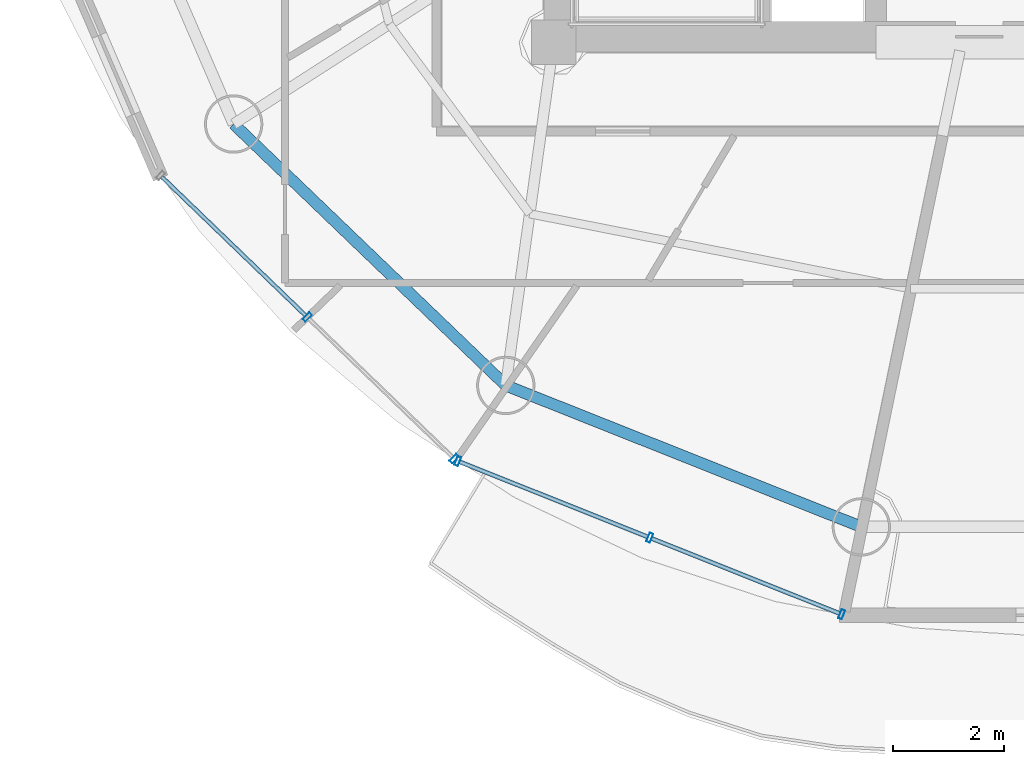
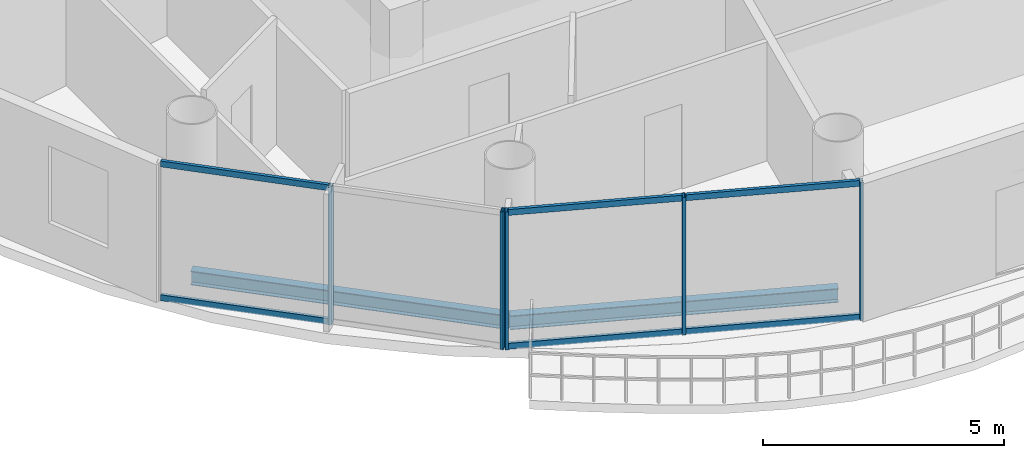
# One storey, part 2 of 23: 11 members, 2 beams, 2 elements without a shape of their own.
"""IFC4 building model written with IfcOpenShell, lengths in metres."""

from ifc_helpers import new_model, si_unit, direction, frame, origin, origin_2d, place, context, subcontext, project, spatial, hollow_rectangle, i_section, extrude, source, transform, mapped, material, material_profile, profile_set, type_object, element, aggregate, save


model = new_model("IFC4")

# Units and contexts
model_context = context("Model", 3, precision=1e-05, world=origin(), true_north=direction((-0.2419218956, 0.970295726276)))
body_context = subcontext(model_context, "Body", "Model", "MODEL_VIEW")
ifc_project = project(units=[si_unit("LENGTHUNIT", "METRE"), si_unit("AREAUNIT", "SQUARE_METRE"), si_unit("VOLUMEUNIT", "CUBIC_METRE"), si_unit("PLANEANGLEUNIT", "RADIAN"), si_unit("MASSUNIT", "GRAM", prefix="KILO")], contexts=[model_context])

# Site, building, storey
site_placement = place(None, origin())
site = spatial("IfcSite", under=ifc_project, at=site_placement, CompositionType="ELEMENT")
building_placement = place(site_placement, origin())
building = spatial("IfcBuilding", under=site, at=building_placement, Name="Cobrevalo Terracotta Tower", CompositionType="ELEMENT")
storey_placement = place(building_placement, frame((0.0, 0.0, 248.199951171875)))
storey = spatial("IfcBuildingStorey", under=building, at=storey_placement, Name="L65", CompositionType="ELEMENT", Elevation=248.199951171875)

# Beams
ifc_material_1 = material(Name="Steel S355", Category="steel")
ifc_material_profile_1 = material_profile(ifc_material_1, i_section(OverallWidth=0.205078125, OverallDepth=0.35400390625, WebThickness=0.009521484375, FlangeThickness=0.016845703125, at=origin_2d()), Name="W 360x79")
ifc_profile_set_1 = profile_set([ifc_material_profile_1], Name="Steel S355")
beam_type = type_object("IfcBeamType", Name="Structural Spandrel W 360x79 (Steel S355)", PredefinedType="SPANDREL", material=ifc_profile_set_1)
beam_1_placement = place(storey_placement, frame((23.241455078125, 17.32763671875, -0.43701171875), z_axis=(0.721183246144, -0.692744343522, 0.0), x_axis=(0.692744343522, 0.721183246144, 0.0)))
element("IfcBeam", 1, at=beam_1_placement, inside=storey, type_object=beam_type, Name="L65 perimeter ring spandrel 10", PredefinedType="SPANDREL", context=body_context, shape_type="SweptSolid", body=[
    extrude(i_section(OverallWidth=0.205078125, OverallDepth=0.35400390625, WebThickness=0.009521484375, FlangeThickness=0.016845703125, at=origin_2d()), origin(), (0.0, 0.0, 1.0), 6.79052734375),
])
beam_2_placement = place(storey_placement, frame((28.138671875, 12.62353515625, -0.43701171875), z_axis=(0.929149986048, -0.369702993533, 0.0), x_axis=(0.369702993533, 0.929149986048, 0.0)))
element("IfcBeam", 2, at=beam_2_placement, inside=storey, type_object=beam_type, Name="L65 perimeter ring spandrel 11", PredefinedType="SPANDREL", context=body_context, shape_type="SweptSolid", body=[
    extrude(i_section(OverallWidth=0.205078125, OverallDepth=0.35400390625, WebThickness=0.009521484375, FlangeThickness=0.016845703125, at=origin_2d()), origin(), (0.0, 0.0, 1.0), 6.88623046875),
])

# Curtain wall, members
ifc_material_2 = material(Name="Anodized aluminium", Category="aluminium")
curtain_wall_type = type_object("IfcCurtainWallType", Name="Upper-tower triple-glazed penthouse curtain wall CW-U3", PredefinedType="NOTDEFINED", material=ifc_material_2)
curtain_wall_1_placement = place(storey_placement, origin())
curtain_wall_1 = element("IfcCurtainWall", 3, at=curtain_wall_1_placement, inside=storey, type_object=curtain_wall_type, Name="L65 curtain wall CW-L65-S10", PredefinedType="NOTDEFINED")
ifc_material_profile_2 = material_profile(ifc_material_2, hollow_rectangle(XDim=0.070068359375, YDim=0.169921875, WallThickness=0.00439453125, at=origin_2d()), Name="CWM 70x170")
ifc_profile_set_2 = profile_set([ifc_material_profile_2], Name="Anodized aluminium")
member_type_1 = type_object("IfcMemberType", Name="Upper tower unitised mullion 70x170", PredefinedType="MULLION", material=ifc_profile_set_2)
shared_shape_1 = source(origin(), body_context, "Body", "SweptSolid", [
    extrude(hollow_rectangle(XDim=0.070068359375, YDim=0.169921875, WallThickness=0.00439453125, at=origin_2d()), origin(), (0.0, 0.0, 1.0), 3.489990234375),
])
member_1_placement = place(storey_placement, frame((24.56640625, 13.85205078125, 0.0), z_axis=(0.0, 0.0, 1.0), x_axis=(0.71999418085, -0.69398010025, 0.0)))
member_1 = element("IfcMember", 4, at=member_1_placement, type_object=member_type_1, Name="CW-L65-S10 vertical mullion 02", PredefinedType="MULLION", context=body_context, shape_type="MappedRepresentation", body=[
    mapped(shared_shape_1, transform((0.0, 0.0, 0.0), scale=1.0)),
])
member_2_placement = place(storey_placement, frame((27.209716796875, 11.30419921875, 0.0), z_axis=(0.0, 0.0, 1.0), x_axis=(0.71999418085, -0.69398010025, 0.0)))
member_2 = element("IfcMember", 5, at=member_2_placement, type_object=member_type_1, Name="CW-L65-S10 vertical mullion 03", PredefinedType="MULLION", context=body_context, shape_type="MappedRepresentation", body=[
    mapped(shared_shape_1, transform((0.0, 0.0, 0.0), scale=1.0)),
])

curtain_wall_2_placement = place(storey_placement, origin())
curtain_wall_2 = element("IfcCurtainWall", 6, at=curtain_wall_2_placement, inside=storey, type_object=curtain_wall_type, Name="L65 curtain wall CW-L65-S11", PredefinedType="NOTDEFINED")
member_3_placement = place(storey_placement, frame((27.275634765625, 11.26171875, 0.0), z_axis=(0.0, 0.0, 1.0), x_axis=(0.928718980883, -0.370784377433, 0.0)))
member_3 = element("IfcMember", 7, at=member_3_placement, type_object=member_type_1, Name="CW-L65-S11 vertical mullion 01", PredefinedType="MULLION", context=body_context, shape_type="MappedRepresentation", body=[
    mapped(shared_shape_1, transform((0.0, 0.0, 0.0), scale=1.0)),
])
member_4_placement = place(storey_placement, frame((30.729736328125, 9.882568359375, 0.0), z_axis=(0.0, 0.0, 1.0), x_axis=(0.928718980883, -0.370784377433, 0.0)))
member_4 = element("IfcMember", 8, at=member_4_placement, type_object=member_type_1, Name="CW-L65-S11 vertical mullion 02", PredefinedType="MULLION", context=body_context, shape_type="MappedRepresentation", body=[
    mapped(shared_shape_1, transform((0.0, 0.0, 0.0), scale=1.0)),
])
member_5_placement = place(storey_placement, frame((34.183837890625, 8.503662109375, 0.0), z_axis=(0.0, 0.0, 1.0), x_axis=(0.928718980883, -0.370784377433, 0.0)))
member_5 = element("IfcMember", 9, at=member_5_placement, type_object=member_type_1, Name="CW-L65-S11 vertical mullion 03", PredefinedType="MULLION", context=body_context, shape_type="MappedRepresentation", body=[
    mapped(shared_shape_1, transform((0.0, 0.0, 0.0), scale=1.0)),
])

# Member
ifc_material_profile_3 = material_profile(ifc_material_2, hollow_rectangle(XDim=0.074951171875, YDim=0.14990234375, WallThickness=0.00439453125, at=origin_2d()), Name="CWT 75x150")
ifc_profile_set_3 = profile_set([ifc_material_profile_3], Name="Anodized aluminium")
member_type_2 = type_object("IfcMemberType", Name="Tower unitised aluminium transom 75x150", PredefinedType="USERDEFINED", material=ifc_profile_set_3)
shared_shape_2 = source(origin(), body_context, "Body", "SweptSolid", [
    extrude(hollow_rectangle(XDim=0.074951171875, YDim=0.14990234375, WallThickness=0.00439453125, at=origin_2d()), origin(), (0.0, 0.0, 1.0), 3.59130859375),
])
member_6_placement = place(storey_placement, frame((21.9521484375, 16.3720703125, 0.050048828125), z_axis=(0.719971660756, -0.694003463758, 0.0), x_axis=(0.694003463758, 0.719971660756, 0.0)))
member_6 = element("IfcMember", 10, at=member_6_placement, type_object=member_type_2, Name="CW-L65-S10 transom B01-T1", ObjectType="TRANSOM", PredefinedType="USERDEFINED", context=body_context, shape_type="MappedRepresentation", body=[
    mapped(shared_shape_2, transform((0.0, 0.0, 0.0), scale=1.0)),
])

member_7_placement = place(storey_placement, frame((21.9521484375, 16.3720703125, 3.43994140625), z_axis=(0.719971660756, -0.694003463758, 0.0), x_axis=(0.694003463758, 0.719971660756, 0.0)))
member_7 = element("IfcMember", 11, at=member_7_placement, type_object=member_type_2, Name="CW-L65-S10 transom B01-T2", ObjectType="TRANSOM", PredefinedType="USERDEFINED", context=body_context, shape_type="MappedRepresentation", body=[
    mapped(shared_shape_2, transform((0.0, 0.0, 0.0), scale=1.0)),
])

aggregate(curtain_wall_1, [member_1, member_2, member_6, member_7])

shared_shape_3 = source(origin(), body_context, "Body", "SweptSolid", [
    extrude(hollow_rectangle(XDim=0.074951171875, YDim=0.14990234375, WallThickness=0.00439453125, at=origin_2d()), origin(), (0.0, 0.0, 1.0), 3.63916015625),
])
member_8_placement = place(storey_placement, frame((27.31298828125, 11.246826171875, 0.050048828125), z_axis=(0.928712471544, -0.370800681227, 0.0), x_axis=(0.370800681227, 0.928712471544, 0.0)))
member_8 = element("IfcMember", 12, at=member_8_placement, type_object=member_type_2, Name="CW-L65-S11 transom B01-T1", ObjectType="TRANSOM", PredefinedType="USERDEFINED", context=body_context, shape_type="MappedRepresentation", body=[
    mapped(shared_shape_3, transform((0.0, 0.0, 0.0), scale=1.0)),
])

member_9_placement = place(storey_placement, frame((27.31298828125, 11.246826171875, 3.43994140625), z_axis=(0.928712471544, -0.370800681227, 0.0), x_axis=(0.370800681227, 0.928712471544, 0.0)))
member_9 = element("IfcMember", 13, at=member_9_placement, type_object=member_type_2, Name="CW-L65-S11 transom B01-T2", ObjectType="TRANSOM", PredefinedType="USERDEFINED", context=body_context, shape_type="MappedRepresentation", body=[
    mapped(shared_shape_3, transform((0.0, 0.0, 0.0), scale=1.0)),
])

member_10_placement = place(storey_placement, frame((30.76708984375, 9.86767578125, 0.050048828125), z_axis=(0.928712471544, -0.370800681227, 0.0), x_axis=(0.370800681227, 0.928712471544, 0.0)))
member_10 = element("IfcMember", 14, at=member_10_placement, type_object=member_type_2, Name="CW-L65-S11 transom B02-T1", ObjectType="TRANSOM", PredefinedType="USERDEFINED", context=body_context, shape_type="MappedRepresentation", body=[
    mapped(shared_shape_3, transform((0.0, 0.0, 0.0), scale=1.0)),
])

member_11_placement = place(storey_placement, frame((30.76708984375, 9.86767578125, 3.43994140625), z_axis=(0.928712471544, -0.370800681227, 0.0), x_axis=(0.370800681227, 0.928712471544, 0.0)))
member_11 = element("IfcMember", 15, at=member_11_placement, type_object=member_type_2, Name="CW-L65-S11 transom B02-T2", ObjectType="TRANSOM", PredefinedType="USERDEFINED", context=body_context, shape_type="MappedRepresentation", body=[
    mapped(shared_shape_3, transform((0.0, 0.0, 0.0), scale=1.0)),
])

aggregate(curtain_wall_2, [member_3, member_4, member_5, member_8, member_9, member_10, member_11])

save(model, "model.ifc")
